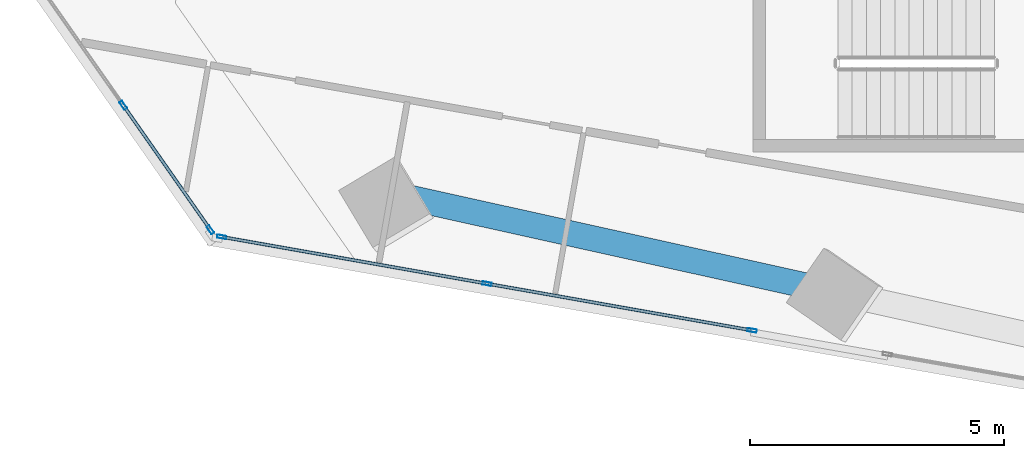
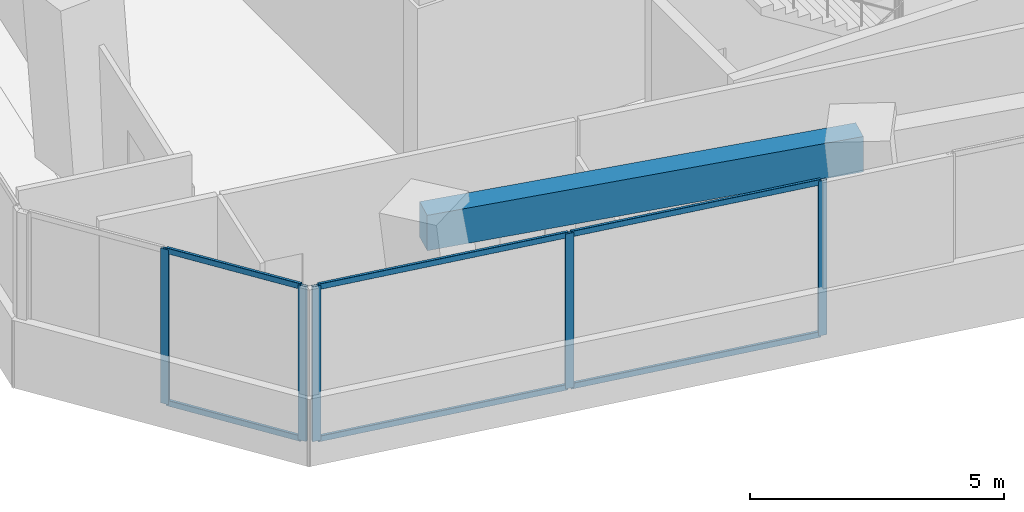
# One storey, part 2 of 24: 11 members, 1 beam, 2 elements without a shape of their own.
"""IFC4 building model written with IfcOpenShell, lengths in metres."""

from ifc_helpers import new_model, si_unit, direction, frame, origin, origin_2d, place, context, subcontext, project, spatial, rectangle, hollow_rectangle, extrude, source, transform, mapped, material, material_profile, profile_set, type_object, element, aggregate, save


model = new_model("IFC4")

# Units and contexts
model_context = context("Model", 3, precision=1e-05, world=origin(), true_north=direction((0.0, 1.0)))
body_context = subcontext(model_context, "Body", "Model", "MODEL_VIEW")
ifc_project = project(units=[si_unit("LENGTHUNIT", "METRE"), si_unit("AREAUNIT", "SQUARE_METRE"), si_unit("VOLUMEUNIT", "CUBIC_METRE"), si_unit("PLANEANGLEUNIT", "RADIAN"), si_unit("MASSUNIT", "GRAM", prefix="KILO")], contexts=[model_context])

# Site, building, storey
site_placement = place(None, origin())
site = spatial("IfcSite", under=ifc_project, at=site_placement, CompositionType="ELEMENT")
building_placement = place(site_placement, origin())
building = spatial("IfcBuilding", under=site, at=building_placement, Name="Torre Montelarca", CompositionType="ELEMENT")
storey_placement = place(building_placement, frame((0.0, 0.0, 83.199951171875)))
storey = spatial("IfcBuildingStorey", under=building, at=storey_placement, Name="L18", CompositionType="ELEMENT", Elevation=83.199951171875)

# Beam
ifc_material_1 = material(Name="Concrete C55/67", Category="concrete")
ifc_material_profile_1 = material_profile(ifc_material_1, rectangle(XDim=0.5, YDim=0.85009765625, at=origin_2d()), Name="RCB500X850", Category="concrete")
ifc_profile_set_1 = profile_set([ifc_material_profile_1], Name="Concrete C55/67")
beam_type = type_object("IfcBeamType", Name="BM-SP-RC850-EXT", PredefinedType="SPANDREL", material=ifc_profile_set_1)
shared_shape_1 = source(origin(), body_context, "Body", "SweptSolid", [
    extrude(rectangle(XDim=0.5, YDim=0.85009765625, at=origin_2d()), origin(), (0.0, 0.0, 1.0), 9.0),
])
beam_placement = place(storey_placement, frame((5.573486328125, 17.9130859375, 3.53515625), z_axis=(0.976294808562, -0.216445020214, 0.0), x_axis=(0.216445020214, 0.976294808562, 0.0)))
element("IfcBeam", 1, at=beam_placement, inside=storey, type_object=beam_type, Name="L18 Grid Girder X 9.0-18.0 at Y=14.8", PredefinedType="SPANDREL", context=body_context, shape_type="MappedRepresentation", body=[
    mapped(shared_shape_1, transform((0.0, 0.0, 0.0), scale=1.0)),
])

# Curtain wall, members
ifc_material_2 = material(Name="Insulated low-E laminated glass", Category="glass")
curtain_wall_type = type_object("IfcCurtainWallType", Name="CW-SYS-Z1", PredefinedType="USERDEFINED", material=ifc_material_2)
curtain_wall_1_placement = place(storey_placement, origin())
curtain_wall_1 = element("IfcCurtainWall", 2, at=curtain_wall_1_placement, inside=storey, type_object=curtain_wall_type, Name="L18 Curtain Wall Run CW-T3-L18-E11-B1", ObjectType="UNITISED GLAZING", PredefinedType="USERDEFINED")
ifc_material_3 = material(Name="Anodised aluminium AA 6063-T6", Category="aluminium")
ifc_material_profile_2 = material_profile(ifc_material_3, hollow_rectangle(XDim=0.06494140625, YDim=0.139892578125, WallThickness=0.00390625, InnerFilletRadius=0.00390625, OuterFilletRadius=0.008056640625, at=origin_2d()), Name="ALU65X140X4", Category="aluminium")
ifc_profile_set_2 = profile_set([ifc_material_profile_2], Name="Anodised aluminium AA 6063-T6")
member_type_1 = type_object("IfcMemberType", Name="CWT-ALU140", PredefinedType="USERDEFINED", material=ifc_profile_set_2)
shared_shape_2 = source(origin(), body_context, "Body", "SweptSolid", [
    extrude(hollow_rectangle(XDim=0.06494140625, YDim=0.139892578125, WallThickness=0.00390625, InnerFilletRadius=0.00390625, OuterFilletRadius=0.008056640625, at=origin_2d()), origin(), (0.0, 0.0, 1.0), 2.91845703125),
])
member_1_placement = place(storey_placement, frame((0.685791015625, 19.544189453125, 0.032470703125), z_axis=(0.573512870865, -0.819196549646, 0.0), x_axis=(0.819196549646, 0.573512870865, 0.0)))
member_1 = element("IfcMember", 3, at=member_1_placement, type_object=member_type_1, Name="CW transom 2.1", ObjectType="TRANSOM", PredefinedType="USERDEFINED", context=body_context, shape_type="MappedRepresentation", body=[
    mapped(shared_shape_2, transform((0.0, 0.0, 0.0), scale=1.0)),
])
member_2_placement = place(storey_placement, frame((0.685791015625, 19.544189453125, 3.6875), z_axis=(0.573512870865, -0.819196549646, 0.0), x_axis=(0.819196549646, 0.573512870865, 0.0)))
member_2 = element("IfcMember", 4, at=member_2_placement, type_object=member_type_1, Name="CW transom 2.2", ObjectType="TRANSOM", PredefinedType="USERDEFINED", context=body_context, shape_type="MappedRepresentation", body=[
    mapped(shared_shape_2, transform((0.0, 0.0, 0.0), scale=1.0)),
])

curtain_wall_2_placement = place(storey_placement, origin())
curtain_wall_2 = element("IfcCurtainWall", 5, at=curtain_wall_2_placement, inside=storey, type_object=curtain_wall_type, Name="L18 Curtain Wall Run CW-T3-L18-E01-B1", ObjectType="UNITISED GLAZING", PredefinedType="USERDEFINED")
shared_shape_3 = source(origin(), body_context, "Body", "SweptSolid", [
    extrude(hollow_rectangle(XDim=0.06494140625, YDim=0.139892578125, WallThickness=0.00390625, InnerFilletRadius=0.00390625, OuterFilletRadius=0.008056640625, at=origin_2d()), origin(), (0.0, 0.0, 1.0), 5.231201171875),
])
member_3_placement = place(storey_placement, frame((7.851318359375, 16.057861328125, 0.032470703125), z_axis=(0.984805163956, -0.173662860295, 0.0), x_axis=(0.173662860295, 0.984805163956, 0.0)))
member_3 = element("IfcMember", 6, at=member_3_placement, type_object=member_type_1, Name="CW transom 2.1", ObjectType="TRANSOM", PredefinedType="USERDEFINED", context=body_context, shape_type="MappedRepresentation", body=[
    mapped(shared_shape_3, transform((0.0, 0.0, 0.0), scale=1.0)),
])
member_4_placement = place(storey_placement, frame((7.851318359375, 16.057861328125, 3.6875), z_axis=(0.984805163956, -0.173662860295, 0.0), x_axis=(0.173662860295, 0.984805163956, 0.0)))
member_4 = element("IfcMember", 7, at=member_4_placement, type_object=member_type_1, Name="CW transom 2.2", ObjectType="TRANSOM", PredefinedType="USERDEFINED", context=body_context, shape_type="MappedRepresentation", body=[
    mapped(shared_shape_3, transform((0.0, 0.0, 0.0), scale=1.0)),
])
ifc_material_profile_3 = material_profile(ifc_material_3, hollow_rectangle(XDim=0.06494140625, YDim=0.179931640625, WallThickness=0.00390625, InnerFilletRadius=0.00390625, OuterFilletRadius=0.008056640625, at=origin_2d()), Name="ALU65X180X4", Category="aluminium")
ifc_profile_set_3 = profile_set([ifc_material_profile_3], Name="Anodised aluminium AA 6063-T6")
member_type_2 = type_object("IfcMemberType", Name="CWM-ALU180", PredefinedType="MULLION", material=ifc_profile_set_3)
shared_shape_4 = source(origin(), body_context, "Body", "SweptSolid", [
    extrude(hollow_rectangle(XDim=0.06494140625, YDim=0.179931640625, WallThickness=0.00390625, InnerFilletRadius=0.00390625, OuterFilletRadius=0.008056640625, at=origin_2d()), origin(), (0.0, 0.0, 1.0), 3.719970703125),
])
member_5_placement = place(storey_placement, frame((2.603515625, 16.983154296875, 0.0), z_axis=(0.0, 0.0, 1.0), x_axis=(0.173647762625, 0.984807826195, 0.0)))
member_5 = element("IfcMember", 8, at=member_5_placement, type_object=member_type_2, Name="CW mullion 1", PredefinedType="MULLION", context=body_context, shape_type="MappedRepresentation", body=[
    mapped(shared_shape_4, transform((0.0, 0.0, 0.0), scale=1.0)),
])
member_6_placement = place(storey_placement, frame((7.8193359375, 16.0634765625, 0.0), z_axis=(0.0, 0.0, 1.0), x_axis=(0.173647762625, 0.984807826195, 0.0)))
member_6 = element("IfcMember", 9, at=member_6_placement, type_object=member_type_2, Name="CW mullion 2", PredefinedType="MULLION", context=body_context, shape_type="MappedRepresentation", body=[
    mapped(shared_shape_4, transform((0.0, 0.0, 0.0), scale=1.0)),
])
member_7_placement = place(storey_placement, frame((13.034912109375, 15.143798828125, 0.0), z_axis=(0.0, 0.0, 1.0), x_axis=(0.173647762625, 0.984807826195, 0.0)))
member_7 = element("IfcMember", 10, at=member_7_placement, type_object=member_type_2, Name="CW mullion 3", PredefinedType="MULLION", context=body_context, shape_type="MappedRepresentation", body=[
    mapped(shared_shape_4, transform((0.0, 0.0, 0.0), scale=1.0)),
])

# Member
member_8_placement = place(storey_placement, frame((0.6669921875, 19.57080078125, 0.0), z_axis=(0.0, 0.0, 1.0), x_axis=(0.819173505874, 0.573545784811, 0.0)))
member_8 = element("IfcMember", 11, at=member_8_placement, type_object=member_type_2, Name="CW mullion 2", PredefinedType="MULLION", context=body_context, shape_type="MappedRepresentation", body=[
    mapped(shared_shape_4, transform((0.0, 0.0, 0.0), scale=1.0)),
])

member_9_placement = place(storey_placement, frame((2.37841796875, 17.126708984375, 0.0), z_axis=(0.0, 0.0, 1.0), x_axis=(0.819173505874, 0.573545784811, 0.0)))
member_9 = element("IfcMember", 12, at=member_9_placement, type_object=member_type_2, Name="CW mullion 3", PredefinedType="MULLION", context=body_context, shape_type="MappedRepresentation", body=[
    mapped(shared_shape_4, transform((0.0, 0.0, 0.0), scale=1.0)),
])

aggregate(curtain_wall_1, [member_8, member_9, member_1, member_2])

shared_shape_5 = source(origin(), body_context, "Body", "SweptSolid", [
    extrude(hollow_rectangle(XDim=0.06494140625, YDim=0.139892578125, WallThickness=0.00390625, InnerFilletRadius=0.00390625, OuterFilletRadius=0.008056640625, at=origin_2d()), origin(), (0.0, 0.0, 1.0), 5.2314453125),
])
member_10_placement = place(storey_placement, frame((2.635498046875, 16.9775390625, 0.032470703125), z_axis=(0.9848065714, -0.173654878788, 0.0), x_axis=(0.173654878788, 0.9848065714, 0.0)))
member_10 = element("IfcMember", 13, at=member_10_placement, type_object=member_type_1, Name="CW transom 1.1", ObjectType="TRANSOM", PredefinedType="USERDEFINED", context=body_context, shape_type="MappedRepresentation", body=[
    mapped(shared_shape_5, transform((0.0, 0.0, 0.0), scale=1.0)),
])

member_11_placement = place(storey_placement, frame((2.635498046875, 16.9775390625, 3.6875), z_axis=(0.9848065714, -0.173654878788, 0.0), x_axis=(0.173654878788, 0.9848065714, 0.0)))
member_11 = element("IfcMember", 14, at=member_11_placement, type_object=member_type_1, Name="CW transom 1.2", ObjectType="TRANSOM", PredefinedType="USERDEFINED", context=body_context, shape_type="MappedRepresentation", body=[
    mapped(shared_shape_5, transform((0.0, 0.0, 0.0), scale=1.0)),
])

aggregate(curtain_wall_2, [member_5, member_6, member_7, member_10, member_11, member_3, member_4])

save(model, "model.ifc")
